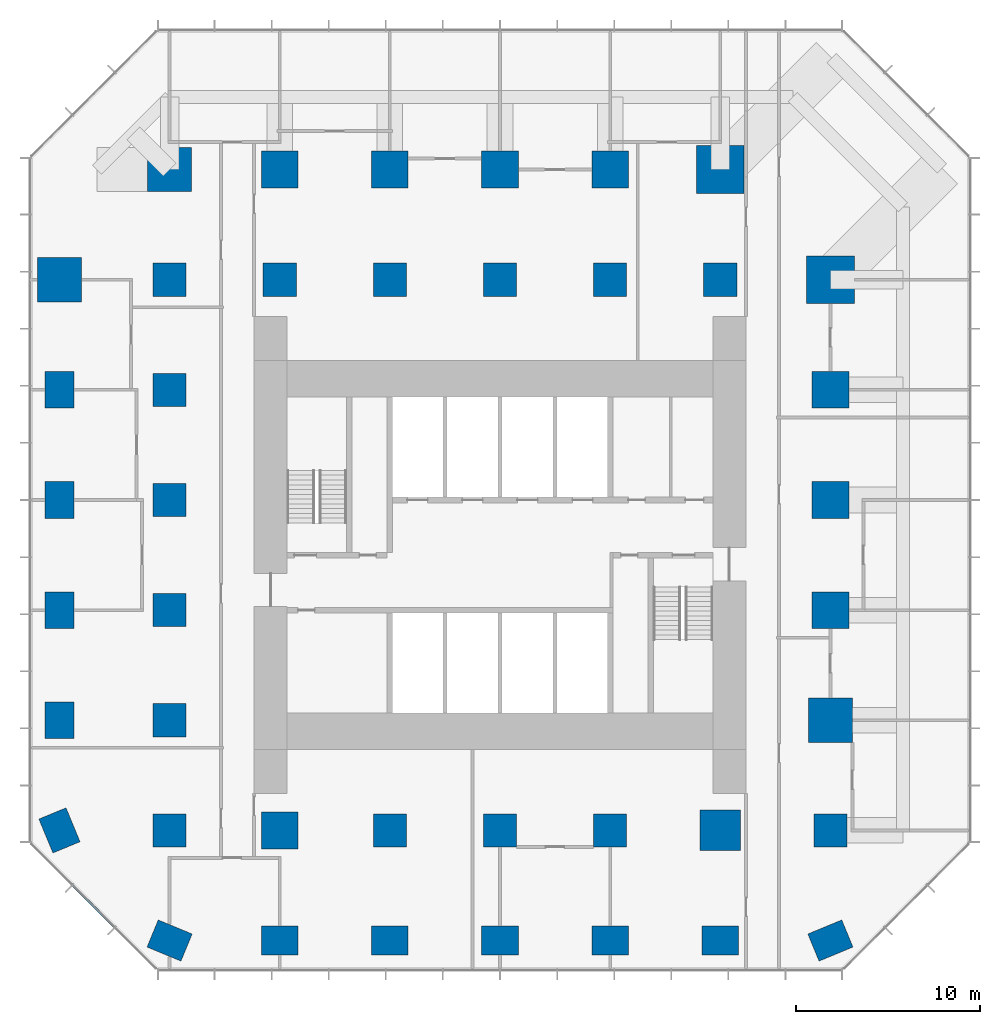
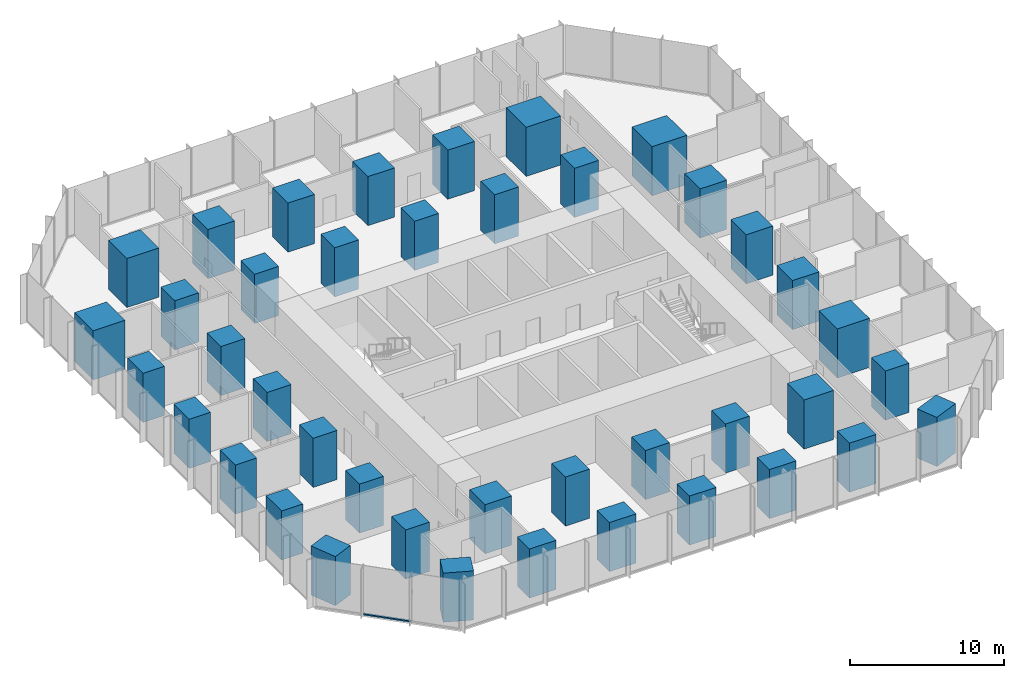
# One storey, part 1 of 12: 41 columns, 1 member, 1 element without a shape of its own.
"""IFC4 building model written with IfcOpenShell, lengths in metres."""

from ifc_helpers import new_model, si_unit, direction, frame, origin, origin_2d, place, context, subcontext, project, spatial, rectangle, extrude, material, layer, layer_set, material_profile, profile_set, type_object, element, aggregate, save


model = new_model("IFC4")

# Units and contexts
model_context = context("Model", 3, precision=1e-05, world=origin(), true_north=direction((0.0, 1.0)))
body_context = subcontext(model_context, "Body", "Model", "MODEL_VIEW")
ifc_project = project(units=[si_unit("LENGTHUNIT", "METRE"), si_unit("AREAUNIT", "SQUARE_METRE"), si_unit("VOLUMEUNIT", "CUBIC_METRE"), si_unit("PLANEANGLEUNIT", "RADIAN"), si_unit("MASSUNIT", "GRAM", prefix="KILO")], contexts=[model_context])

# Site, building, storey
site_placement = place(None, origin())
site = spatial("IfcSite", under=ifc_project, at=site_placement, CompositionType="ELEMENT")
building_placement = place(site_placement, origin())
building = spatial("IfcBuilding", under=site, at=building_placement, Name="Highveld Stack Headquarters", CompositionType="ELEMENT")
storey_placement = place(building_placement, frame((0.0, 0.0, 80.60009765625)))
storey = spatial("IfcBuildingStorey", under=building, at=storey_placement, Name="L19", CompositionType="ELEMENT", Elevation=80.60009765625)

# Columns
ifc_material_1 = material(Name="Concrete C60/75", Category="concrete")
ifc_material_profile_1 = material_profile(ifc_material_1, rectangle(XDim=1.800048828125, YDim=1.800048828125, at=origin_2d()), Name="RC 1800x1800")
ifc_profile_set_1 = profile_set([ifc_material_profile_1], Name="Concrete C60/75")
column_type_1 = type_object("IfcColumnType", Name="COLUMN RC 1800x1800 C60/75", PredefinedType="COLUMN", material=ifc_profile_set_1)
for number, where, z_axis, x_axis, name in (
    (1, (-12.0, -12.0, 0.0), (0.0, 0.0, 1.0), (1.0, 0.0, 0.0), "Column 4/C L19"),
    (2, (-12.0, -6.0, 0.0), (0.0, 0.0, 1.0), (1.0, 0.0, 0.0), "Column 4/D L19"),
    (3, (-12.0, 0.0, 0.0), (0.0, 0.0, 1.0), (1.0, 0.0, 0.0), "Column 4/E L19"),
    (4, (-12.0, 6.0, 0.0), (0.0, 0.0, 1.0), (1.0, 0.0, 0.0), "Column 4/F L19"),
    (5, (-12.0, 12.0, 0.0), (0.0, 0.0, 1.0), (1.0, 0.0, 0.0), "Column 4/G L19"),
    (6, (-12.0, 18.0, 0.0), (0.0, 0.0, 1.0), (1.0, 0.0, 0.0), "Column 4/H L19"),
    (7, (-6.0, 18.0, 0.0), (0.0, 0.0, 1.0), (1.0, 0.0, 0.0), "Column 5/H L19"),
    (8, (0.0, -12.0, 0.0), (0.0, 0.0, 1.0), (1.0, 0.0, 0.0), "Column 6/C L19"),
    (9, (0.0, 18.0, 0.0), (0.0, 0.0, 1.0), (1.0, 0.0, 0.0), "Column 6/H L19"),
    (10, (6.0, -12.0, 0.0), (0.0, 0.0, 1.0), (1.0, 0.0, 0.0), "Column 7/C L19"),
    (11, (6.0, 18.0, 0.0), (0.0, 0.0, 1.0), (1.0, 0.0, 0.0), "Column 7/H L19"),
    (12, (12.0, -12.0, 0.0), (0.0, 0.0, 1.0), (1.0, 0.0, 0.0), "Column 8/C L19"),
    (13, (12.0, 18.0, 0.0), (0.0, 0.0, 1.0), (1.0, 0.0, 0.0), "Column 8/H L19"),
    (14, (18.0, 18.0, 0.0), (0.0, 0.0, 1.0), (1.0, 0.0, 0.0), "Column 9/H L19"),
    (15, (24.0, -12.0, 0.0), (0.0, 0.0, 1.0), (1.0, 0.0, 0.0), "Column 10/C L19"),
):
    element("IfcColumn", number, at=place(storey_placement, frame(where, z_axis=z_axis, x_axis=x_axis)), inside=storey, type_object=column_type_1, Name=name, PredefinedType="COLUMN", context=body_context, shape_type="SweptSolid", body=[
        extrude(rectangle(XDim=1.800048828125, YDim=1.800048828125, at=origin_2d()), origin(), (0.0, 0.0, 1.0), 3.89990234375),
    ])
ifc_material_2 = material(Name="Concrete C60/75", Category="concrete")
ifc_material_profile_2 = material_profile(ifc_material_2, rectangle(XDim=2.0, YDim=1.60009765625, at=origin_2d()), Name="RC 2000x1600")
ifc_profile_set_2 = profile_set([ifc_material_profile_2], Name="Concrete C60/75")
column_type_2 = type_object("IfcColumnType", Name="COLUMN RC 2000x1600 C60/75", PredefinedType="COLUMN", material=ifc_profile_set_2)
for number, where, z_axis, x_axis, name in (
    (16, (-18.0, -12.0, 0.0), (0.0, 0.0, 1.0), (-0.382683432365, 0.923879532511, 0.0), "Column 3/C L19"),
    (17, (-18.0, -6.0, 0.0), (0.0, 0.0, 1.0), (0.0, 1.0, 0.0), "Column 3/D L19"),
    (18, (-18.0, 0.0, 0.0), (0.0, 0.0, 1.0), (0.0, 1.0, 0.0), "Column 3/E L19"),
    (19, (-18.0, 6.0, 0.0), (0.0, 0.0, 1.0), (0.0, 1.0, 0.0), "Column 3/F L19"),
    (20, (-18.0, 12.0, 0.0), (0.0, 0.0, 1.0), (0.0, 1.0, 0.0), "Column 3/G L19"),
    (21, (-12.0, -18.0, 0.0), (0.0, 0.0, 1.0), (-0.923879532511, 0.382683432365, 0.0), "Column 4/B L19"),
    (22, (-6.0, -18.0, 0.0), (0.0, 0.0, 1.0), (1.0, 0.0, 0.0), "Column 5/B L19"),
    (23, (0.0, -18.0, 0.0), (0.0, 0.0, 1.0), (1.0, 0.0, 0.0), "Column 6/B L19"),
    (24, (6.0, -18.0, 0.0), (0.0, 0.0, 1.0), (1.0, 0.0, 0.0), "Column 7/B L19"),
    (25, (12.0, -18.0, 0.0), (0.0, 0.0, 1.0), (1.0, 0.0, 0.0), "Column 8/B L19"),
    (26, (18.0, -18.0, 0.0), (0.0, 0.0, 1.0), (1.0, 0.0, 0.0), "Column 9/B L19"),
    (27, (24.0, -18.0, 0.0), (0.0, 0.0, 1.0), (-0.923879532511, -0.382683432365, 0.0), "Column 10/B L19"),
):
    element("IfcColumn", number, at=place(storey_placement, frame(where, z_axis=z_axis, x_axis=x_axis)), inside=storey, type_object=column_type_2, Name=name, PredefinedType="COLUMN", context=body_context, shape_type="SweptSolid", body=[
        extrude(rectangle(XDim=2.0, YDim=1.60009765625, at=origin_2d()), origin(), (0.0, 0.0, 1.0), 3.89990234375),
    ])
ifc_material_3 = material(Name="Concrete C60/75", Category="concrete")
ifc_material_profile_3 = material_profile(ifc_material_3, rectangle(XDim=2.0, YDim=2.0, at=origin_2d()), Name="RC 2000x2000")
ifc_profile_set_3 = profile_set([ifc_material_profile_3], Name="Concrete C60/75")
column_type_3 = type_object("IfcColumnType", Name="COLUMN RC 2000x2000 C60/75", PredefinedType="COLUMN", material=ifc_profile_set_3)
for number, where, z_axis, x_axis, name in (
    (28, (-6.0, -12.0, 0.0), (0.0, 0.0, 1.0), (1.0, 0.0, 0.0), "Column 5/C L19"),
    (29, (-6.0, 24.0, 0.0), (0.0, 0.0, 1.0), (1.0, 0.0, 0.0), "Column 5/J L19"),
    (30, (0.0, 24.0, 0.0), (0.0, 0.0, 1.0), (1.0, 0.0, 0.0), "Column 6/J L19"),
    (31, (6.0, 24.0, 0.0), (0.0, 0.0, 1.0), (1.0, 0.0, 0.0), "Column 7/J L19"),
    (32, (12.0, 24.0, 0.0), (0.0, 0.0, 1.0), (1.0, 0.0, 0.0), "Column 8/J L19"),
    (33, (24.0, 0.0, 0.0), (0.0, 0.0, 1.0), (1.0, 0.0, 0.0), "Column 10/E L19"),
    (34, (24.0, 6.0, 0.0), (0.0, 0.0, 1.0), (1.0, 0.0, 0.0), "Column 10/F L19"),
    (35, (24.0, 12.0, 0.0), (0.0, 0.0, 1.0), (1.0, 0.0, 0.0), "Column 10/G L19"),
):
    element("IfcColumn", number, at=place(storey_placement, frame(where, z_axis=z_axis, x_axis=x_axis)), inside=storey, type_object=column_type_3, Name=name, PredefinedType="COLUMN", context=body_context, shape_type="SweptSolid", body=[
        extrude(rectangle(XDim=2.0, YDim=2.0, at=origin_2d()), origin(), (0.0, 0.0, 1.0), 3.89990234375),
    ])
ifc_material_4 = material(Name="Concrete C60/75", Category="concrete")
ifc_material_profile_4 = material_profile(ifc_material_4, rectangle(XDim=2.199951171875, YDim=2.199951171875, at=origin_2d()), Name="RC 2200x2200")
ifc_profile_set_4 = profile_set([ifc_material_profile_4], Name="Concrete C60/75")
column_type_4 = type_object("IfcColumnType", Name="COLUMN RC 2200x2200 C60/75", PredefinedType="COLUMN", material=ifc_profile_set_4)
column_placement = place(storey_placement, frame((18.0, -12.0, 0.0), z_axis=(0.0, 0.0, 1.0), x_axis=(1.0, 0.0, 0.0)))
element("IfcColumn", 36, at=column_placement, inside=storey, type_object=column_type_4, Name="Column 9/C L19", PredefinedType="COLUMN", context=body_context, shape_type="SweptSolid", body=[
    extrude(rectangle(XDim=2.199951171875, YDim=2.199951171875, at=origin_2d()), origin(), (0.0, 0.0, 1.0), 3.89990234375),
])
ifc_material_5 = material(Name="Concrete C60/75", Category="concrete")
ifc_material_profile_5 = material_profile(ifc_material_5, rectangle(XDim=2.39990234375, YDim=2.39990234375, at=origin_2d()), Name="RC 2400x2400")
ifc_profile_set_5 = profile_set([ifc_material_profile_5], Name="Concrete C60/75")
column_type_5 = type_object("IfcColumnType", Name="COLUMN RC 2400x2400 C60/75", PredefinedType="COLUMN", material=ifc_profile_set_5)
for number, where, z_axis, x_axis, name in (
    (37, (-18.0, 18.0, 0.0), (0.0, 0.0, 1.0), (1.0, 0.0, 0.0), "Column 3/H L19"),
    (38, (-12.0, 24.0, 0.0), (0.0, 0.0, 1.0), (1.0, 0.0, 0.0), "Column 4/J L19"),
    (39, (24.0, -6.0, 0.0), (0.0, 0.0, 1.0), (1.0, 0.0, 0.0), "Column 10/D L19"),
):
    element("IfcColumn", number, at=place(storey_placement, frame(where, z_axis=z_axis, x_axis=x_axis)), inside=storey, type_object=column_type_5, Name=name, PredefinedType="COLUMN", context=body_context, shape_type="SweptSolid", body=[
        extrude(rectangle(XDim=2.39990234375, YDim=2.39990234375, at=origin_2d()), origin(), (0.0, 0.0, 1.0), 3.89990234375),
    ])
ifc_material_6 = material(Name="Concrete C60/75", Category="concrete")
ifc_material_profile_6 = material_profile(ifc_material_6, rectangle(XDim=2.60009765625, YDim=2.60009765625, at=origin_2d()), Name="RC 2600x2600")
ifc_profile_set_6 = profile_set([ifc_material_profile_6], Name="Concrete C60/75")
column_type_6 = type_object("IfcColumnType", Name="COLUMN RC 2600x2600 C60/75", PredefinedType="COLUMN", material=ifc_profile_set_6)
for number, where, z_axis, x_axis, name in (
    (40, (18.0, 24.0, 0.0), (0.0, 0.0, 1.0), (1.0, 0.0, 0.0), "Column 9/J L19"),
    (41, (24.0, 18.0, 0.0), (0.0, 0.0, 1.0), (1.0, 0.0, 0.0), "Column 10/H L19"),
):
    element("IfcColumn", number, at=place(storey_placement, frame(where, z_axis=z_axis, x_axis=x_axis)), inside=storey, type_object=column_type_6, Name=name, PredefinedType="COLUMN", context=body_context, shape_type="SweptSolid", body=[
        extrude(rectangle(XDim=2.60009765625, YDim=2.60009765625, at=origin_2d()), origin(), (0.0, 0.0, 1.0), 3.89990234375),
    ])

# Curtain wall, member
ifc_material_7 = material(Name="Aluminium bronze anodised", Category="aluminium")
ifc_layer = layer(ifc_material_7, 0.199951171875)
ifc_layer_set = layer_set([ifc_layer], Name="Aluminium bronze anodised")
curtain_wall_type = type_object("IfcCurtainWallType", Name="CW2 TOWER CHAMFER UNITISED CURTAIN WALL", PredefinedType="NOTDEFINED", material=ifc_layer_set)
curtain_wall_placement = place(storey_placement, origin())
curtain_wall = element("IfcCurtainWall", 42, at=curtain_wall_placement, inside=storey, type_object=curtain_wall_type, Name="Curtain wall CW2 L19 SW", PredefinedType="NOTDEFINED")
ifc_material_8 = material(Name="Aluminium bronze anodised", Category="aluminium")
ifc_material_profile_7 = material_profile(ifc_material_8, rectangle(XDim=0.14990234375, YDim=0.10009765625, at=origin_2d()), Name="CW2 TRANSOM 150x100")
ifc_profile_set_7 = profile_set([ifc_material_profile_7], Name="Aluminium bronze anodised")
member_type = type_object("IfcMemberType", Name="CW2 STACK TRANSOM 150x100", PredefinedType="USERDEFINED", material=ifc_profile_set_7)
member_placement = place(storey_placement, frame((-17.2646484375, -14.998046875, 0.0498046875), z_axis=(0.707106781187, -0.707106781187, 0.0), x_axis=(0.707106781187, 0.707106781187, 0.0)))
member = element("IfcMember", 43, at=member_placement, type_object=member_type, Name="CW2 transom L19 2.1", ObjectType="TRANSOM", PredefinedType="USERDEFINED", context=body_context, shape_type="SweptSolid", body=[
    extrude(rectangle(XDim=0.14990234375, YDim=0.10009765625, at=origin_2d()), origin(), (0.0, 0.0, 1.0), 3.20556640625),
])
aggregate(curtain_wall, [member])

save(model, "model.ifc")
